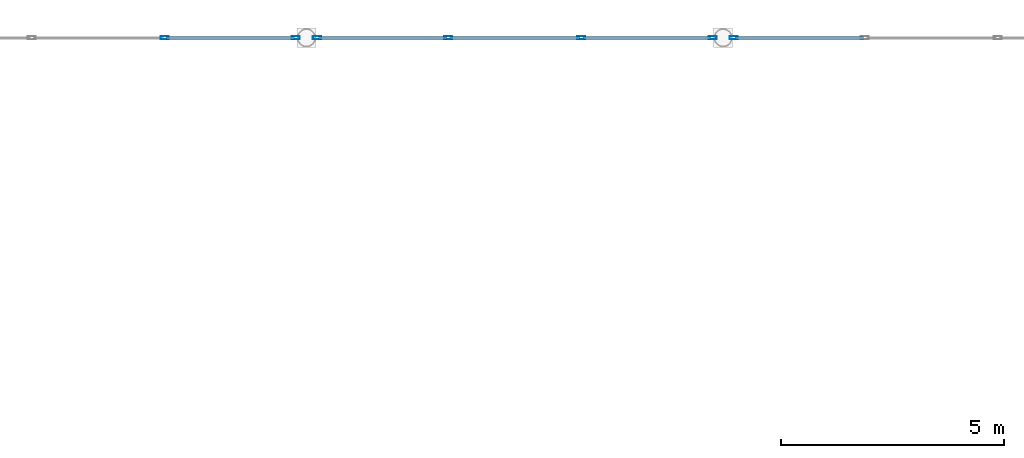
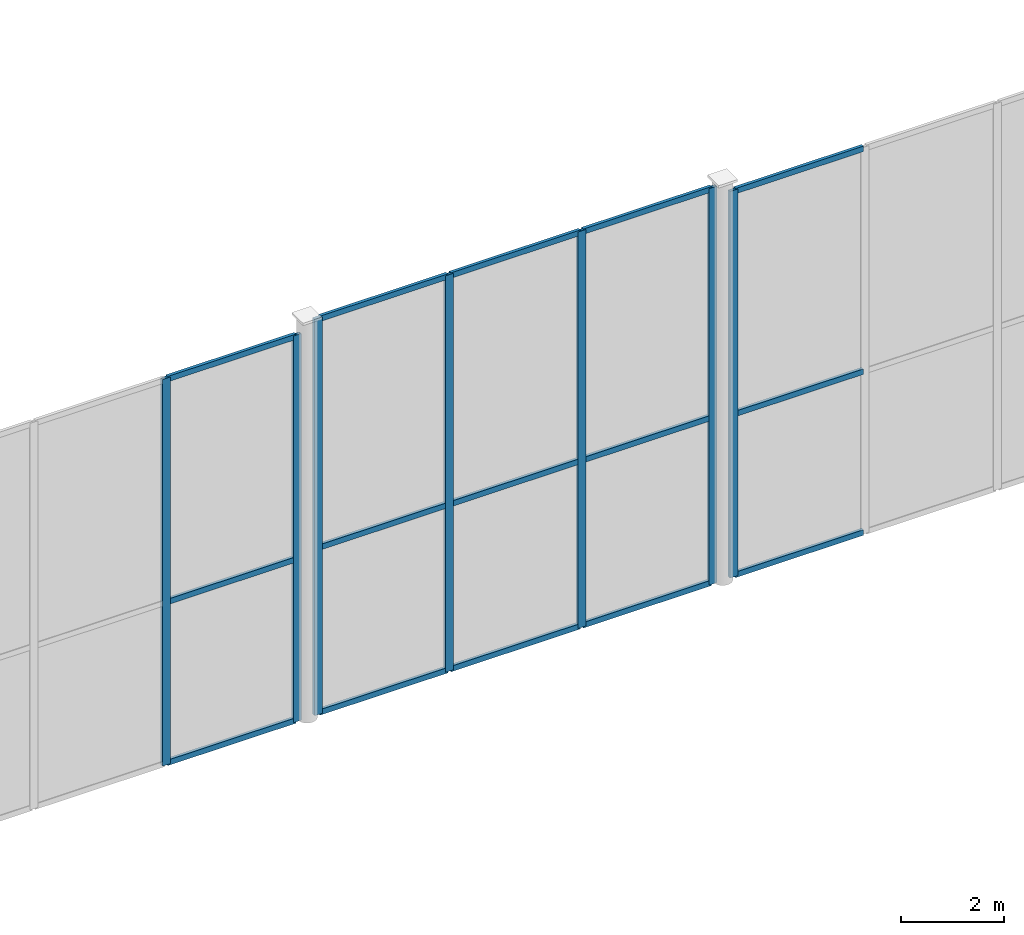
# One storey, part 44 of 77: 22 members, 3 elements without a shape of their own.
"""IFC4 building model written with IfcOpenShell, lengths in metres."""

from ifc_helpers import new_model, si_unit, direction, frame, origin, origin_2d, place, context, subcontext, project, spatial, hollow_rectangle, extrude, material, layer, layer_set, material_profile, profile_set, type_object, element, aggregate, save


model = new_model("IFC4")

# Units and contexts
model_context = context("Model", 3, precision=1e-05, world=origin(), true_north=direction((0.0, 1.0)))
body_context = subcontext(model_context, "Body", "Model", "MODEL_VIEW")
ifc_project = project(units=[si_unit("LENGTHUNIT", "METRE"), si_unit("AREAUNIT", "SQUARE_METRE"), si_unit("VOLUMEUNIT", "CUBIC_METRE"), si_unit("PLANEANGLEUNIT", "RADIAN"), si_unit("MASSUNIT", "GRAM", prefix="KILO")], contexts=[model_context])

# Site, building, storey
site_placement = place(None, origin())
site = spatial("IfcSite", under=ifc_project, at=site_placement, CompositionType="ELEMENT")
building_placement = place(site_placement, origin())
building = spatial("IfcBuilding", under=site, at=building_placement, Name="Quillay Park Conservatory", CompositionType="ELEMENT")
storey_placement = place(building_placement, frame((0.0, 0.0, 5.39990234375)))
storey = spatial("IfcBuildingStorey", under=building, at=storey_placement, Name="L01", CompositionType="ELEMENT", Elevation=5.39990234375)

# Curtain wall, members
ifc_material_1 = material(Name="Thermally Broken Anodised Aluminium 6063-T6", Category="aluminium")
ifc_layer = layer(ifc_material_1, 0.219970703125)
ifc_layer_set = layer_set([ifc_layer], Name="UNITISED CURTAIN WALL CONSERVATORY (Thermally Broken Anodised Aluminium 6063-T6)")
curtain_wall_type = type_object("IfcCurtainWallType", Name="UNITISED CURTAIN WALL CONSERVATORY", PredefinedType="USERDEFINED", material=ifc_layer_set)
curtain_wall_1_placement = place(storey_placement, origin())
curtain_wall_1 = element("IfcCurtainWall", 1, at=curtain_wall_1_placement, inside=storey, type_object=curtain_wall_type, Name="L01 Unitised Curtain Wall 153", ObjectType="UNITISED CURTAIN WALL", PredefinedType="USERDEFINED")
ifc_material_2 = material(Name="Thermally Broken Anodised Aluminium 6063-T6", Category="aluminium")
ifc_material_profile_1 = material_profile(ifc_material_2, hollow_rectangle(XDim=0.070068359375, YDim=0.179931640625, WallThickness=0.00390625, at=origin_2d()), Name="AL70x180x4")
ifc_profile_set_1 = profile_set([ifc_material_profile_1], Name="Thermally Broken Anodised Aluminium 6063-T6")
member_type_1 = type_object("IfcMemberType", Name="CURTAIN WALL MULLION 70 X180", PredefinedType="MULLION", material=ifc_profile_set_1)
member_1_placement = place(storey_placement, frame((64.886474609375, 113.39990234375, 0.0), z_axis=(0.0, 0.0, 1.0), x_axis=(0.0, 1.0, 0.0)))
member_1 = element("IfcMember", 2, at=member_1_placement, type_object=member_type_1, Name="CW-C1 mullion 3", PredefinedType="MULLION", context=body_context, shape_type="SweptSolid", body=[
    extrude(hollow_rectangle(XDim=0.070068359375, YDim=0.179931640625, WallThickness=0.00390625, at=origin_2d()), origin(), (0.0, 0.0, 1.0), 9.201904296875),
])
member_2_placement = place(storey_placement, frame((67.835205078125, 113.39990234375, 0.0), z_axis=(0.0, 0.0, 1.0), x_axis=(0.0, 1.0, 0.0)))
member_2 = element("IfcMember", 3, at=member_2_placement, type_object=member_type_1, Name="CW-C1 mullion 4", PredefinedType="MULLION", context=body_context, shape_type="SweptSolid", body=[
    extrude(hollow_rectangle(XDim=0.070068359375, YDim=0.179931640625, WallThickness=0.00390625, at=origin_2d()), origin(), (0.0, 0.0, 1.0), 9.201904296875),
])

curtain_wall_2_placement = place(storey_placement, origin())
curtain_wall_2 = element("IfcCurtainWall", 4, at=curtain_wall_2_placement, inside=storey, type_object=curtain_wall_type, Name="L01 Unitised Curtain Wall 155", ObjectType="UNITISED CURTAIN WALL", PredefinedType="USERDEFINED")
member_3_placement = place(storey_placement, frame((68.30908203125, 113.39990234375, 0.0), z_axis=(0.0, 0.0, 1.0), x_axis=(0.0, 1.0, 0.0)))
member_3 = element("IfcMember", 5, at=member_3_placement, type_object=member_type_1, Name="CW-C1 mullion 1", PredefinedType="MULLION", context=body_context, shape_type="SweptSolid", body=[
    extrude(hollow_rectangle(XDim=0.070068359375, YDim=0.179931640625, WallThickness=0.00390625, at=origin_2d()), origin(), (0.0, 0.0, 1.0), 9.436279296875),
])
member_4_placement = place(storey_placement, frame((71.258056640625, 113.39990234375, 0.0), z_axis=(0.0, 0.0, 1.0), x_axis=(0.0, 1.0, 0.0)))
member_4 = element("IfcMember", 6, at=member_4_placement, type_object=member_type_1, Name="CW-C1 mullion 2", PredefinedType="MULLION", context=body_context, shape_type="SweptSolid", body=[
    extrude(hollow_rectangle(XDim=0.070068359375, YDim=0.179931640625, WallThickness=0.00390625, at=origin_2d()), origin(), (0.0, 0.0, 1.0), 9.436279296875),
])
member_5_placement = place(storey_placement, frame((74.241943359375, 113.39990234375, 0.0), z_axis=(0.0, 0.0, 1.0), x_axis=(0.0, 1.0, 0.0)))
member_5 = element("IfcMember", 7, at=member_5_placement, type_object=member_type_1, Name="CW-C1 mullion 3", PredefinedType="MULLION", context=body_context, shape_type="SweptSolid", body=[
    extrude(hollow_rectangle(XDim=0.070068359375, YDim=0.179931640625, WallThickness=0.00390625, at=origin_2d()), origin(), (0.0, 0.0, 1.0), 9.436279296875),
])
member_6_placement = place(storey_placement, frame((77.19091796875, 113.39990234375, 0.0), z_axis=(0.0, 0.0, 1.0), x_axis=(0.0, 1.0, 0.0)))
member_6 = element("IfcMember", 8, at=member_6_placement, type_object=member_type_1, Name="CW-C1 mullion 4", PredefinedType="MULLION", context=body_context, shape_type="SweptSolid", body=[
    extrude(hollow_rectangle(XDim=0.070068359375, YDim=0.179931640625, WallThickness=0.00390625, at=origin_2d()), origin(), (0.0, 0.0, 1.0), 9.436279296875),
])

# Curtain wall, member
curtain_wall_3_placement = place(storey_placement, origin())
curtain_wall_3 = element("IfcCurtainWall", 9, at=curtain_wall_3_placement, inside=storey, type_object=curtain_wall_type, Name="L01 Unitised Curtain Wall 156", ObjectType="UNITISED CURTAIN WALL", PredefinedType="USERDEFINED")
member_7_placement = place(storey_placement, frame((77.664794921875, 113.39990234375, 0.0), z_axis=(0.0, 0.0, 1.0), x_axis=(0.0, 1.0, 0.0)))
member_7 = element("IfcMember", 10, at=member_7_placement, type_object=member_type_1, Name="CW-C1 mullion 1", PredefinedType="MULLION", context=body_context, shape_type="SweptSolid", body=[
    extrude(hollow_rectangle(XDim=0.070068359375, YDim=0.179931640625, WallThickness=0.00390625, at=origin_2d()), origin(), (0.0, 0.0, 1.0), 9.201904296875),
])

# Member
ifc_material_3 = material(Name="Thermally Broken Anodised Aluminium 6063-T6", Category="aluminium")
ifc_material_profile_2 = material_profile(ifc_material_3, hollow_rectangle(XDim=0.070068359375, YDim=0.1298828125, WallThickness=0.003173828125, at=origin_2d()), Name="AL70x130x3.2")
ifc_profile_set_2 = profile_set([ifc_material_profile_2], Name="Thermally Broken Anodised Aluminium 6063-T6")
member_type_2 = type_object("IfcMemberType", Name="CURTAIN WALL TRANSOM 70 X130", PredefinedType="USERDEFINED", material=ifc_profile_set_2)
member_8_placement = place(storey_placement, frame((64.92138671875, 113.39990234375, 0.03515625), z_axis=(1.0, 0.0, 0.0), x_axis=(0.0, 1.0, 0.0)))
member_8 = element("IfcMember", 11, at=member_8_placement, type_object=member_type_2, Name="CW-C1 transom 3.1", ObjectType="TRANSOM", PredefinedType="USERDEFINED", context=body_context, shape_type="SweptSolid", body=[
    extrude(hollow_rectangle(XDim=0.070068359375, YDim=0.1298828125, WallThickness=0.003173828125, at=origin_2d()), origin(), (0.0, 0.0, 1.0), 2.87890625),
])

member_9_placement = place(storey_placement, frame((64.92138671875, 113.39990234375, 3.864990234375), z_axis=(1.0, 0.0, 0.0), x_axis=(0.0, 1.0, 0.0)))
member_9 = element("IfcMember", 12, at=member_9_placement, type_object=member_type_2, Name="CW-C1 transom 3.2", ObjectType="TRANSOM", PredefinedType="USERDEFINED", context=body_context, shape_type="SweptSolid", body=[
    extrude(hollow_rectangle(XDim=0.070068359375, YDim=0.1298828125, WallThickness=0.003173828125, at=origin_2d()), origin(), (0.0, 0.0, 1.0), 2.87890625),
])

member_10_placement = place(storey_placement, frame((64.92138671875, 113.39990234375, 9.1669921875), z_axis=(1.0, 0.0, 0.0), x_axis=(0.0, 1.0, 0.0)))
member_10 = element("IfcMember", 13, at=member_10_placement, type_object=member_type_2, Name="CW-C1 transom 3.3", ObjectType="TRANSOM", PredefinedType="USERDEFINED", context=body_context, shape_type="SweptSolid", body=[
    extrude(hollow_rectangle(XDim=0.070068359375, YDim=0.1298828125, WallThickness=0.003173828125, at=origin_2d()), origin(), (0.0, 0.0, 1.0), 2.87890625),
])

aggregate(curtain_wall_1, [member_1, member_2, member_8, member_9, member_10])

member_11_placement = place(storey_placement, frame((68.34423828125, 113.39990234375, 0.03515625), z_axis=(1.0, 0.0, 0.0), x_axis=(0.0, 1.0, 0.0)))
member_11 = element("IfcMember", 14, at=member_11_placement, type_object=member_type_2, Name="CW-C1 transom 1.1", ObjectType="TRANSOM", PredefinedType="USERDEFINED", context=body_context, shape_type="SweptSolid", body=[
    extrude(hollow_rectangle(XDim=0.070068359375, YDim=0.1298828125, WallThickness=0.003173828125, at=origin_2d()), origin(), (0.0, 0.0, 1.0), 2.87890625),
])

member_12_placement = place(storey_placement, frame((68.34423828125, 113.39990234375, 3.96337890625), z_axis=(1.0, 0.0, 0.0), x_axis=(0.0, 1.0, 0.0)))
member_12 = element("IfcMember", 15, at=member_12_placement, type_object=member_type_2, Name="CW-C1 transom 1.2", ObjectType="TRANSOM", PredefinedType="USERDEFINED", context=body_context, shape_type="SweptSolid", body=[
    extrude(hollow_rectangle(XDim=0.070068359375, YDim=0.1298828125, WallThickness=0.003173828125, at=origin_2d()), origin(), (0.0, 0.0, 1.0), 2.87890625),
])

member_13_placement = place(storey_placement, frame((68.34423828125, 113.39990234375, 9.4013671875), z_axis=(1.0, 0.0, 0.0), x_axis=(0.0, 1.0, 0.0)))
member_13 = element("IfcMember", 16, at=member_13_placement, type_object=member_type_2, Name="CW-C1 transom 1.3", ObjectType="TRANSOM", PredefinedType="USERDEFINED", context=body_context, shape_type="SweptSolid", body=[
    extrude(hollow_rectangle(XDim=0.070068359375, YDim=0.1298828125, WallThickness=0.003173828125, at=origin_2d()), origin(), (0.0, 0.0, 1.0), 2.87890625),
])

member_14_placement = place(storey_placement, frame((71.29296875, 113.39990234375, 0.03515625), z_axis=(1.0, 0.0, 0.0), x_axis=(0.0, 1.0, 0.0)))
member_14 = element("IfcMember", 17, at=member_14_placement, type_object=member_type_2, Name="CW-C1 transom 2.1", ObjectType="TRANSOM", PredefinedType="USERDEFINED", context=body_context, shape_type="SweptSolid", body=[
    extrude(hollow_rectangle(XDim=0.070068359375, YDim=0.1298828125, WallThickness=0.003173828125, at=origin_2d()), origin(), (0.0, 0.0, 1.0), 2.9140625),
])

member_15_placement = place(storey_placement, frame((71.29296875, 113.39990234375, 3.96337890625), z_axis=(1.0, 0.0, 0.0), x_axis=(0.0, 1.0, 0.0)))
member_15 = element("IfcMember", 18, at=member_15_placement, type_object=member_type_2, Name="CW-C1 transom 2.2", ObjectType="TRANSOM", PredefinedType="USERDEFINED", context=body_context, shape_type="SweptSolid", body=[
    extrude(hollow_rectangle(XDim=0.070068359375, YDim=0.1298828125, WallThickness=0.003173828125, at=origin_2d()), origin(), (0.0, 0.0, 1.0), 2.9140625),
])

member_16_placement = place(storey_placement, frame((71.29296875, 113.39990234375, 9.4013671875), z_axis=(1.0, 0.0, 0.0), x_axis=(0.0, 1.0, 0.0)))
member_16 = element("IfcMember", 19, at=member_16_placement, type_object=member_type_2, Name="CW-C1 transom 2.3", ObjectType="TRANSOM", PredefinedType="USERDEFINED", context=body_context, shape_type="SweptSolid", body=[
    extrude(hollow_rectangle(XDim=0.070068359375, YDim=0.1298828125, WallThickness=0.003173828125, at=origin_2d()), origin(), (0.0, 0.0, 1.0), 2.9140625),
])

member_17_placement = place(storey_placement, frame((74.27685546875, 113.39990234375, 0.03515625), z_axis=(1.0, 0.0, 0.0), x_axis=(0.0, 1.0, 0.0)))
member_17 = element("IfcMember", 20, at=member_17_placement, type_object=member_type_2, Name="CW-C1 transom 3.1", ObjectType="TRANSOM", PredefinedType="USERDEFINED", context=body_context, shape_type="SweptSolid", body=[
    extrude(hollow_rectangle(XDim=0.070068359375, YDim=0.1298828125, WallThickness=0.003173828125, at=origin_2d()), origin(), (0.0, 0.0, 1.0), 2.87890625),
])

member_18_placement = place(storey_placement, frame((74.27685546875, 113.39990234375, 3.96337890625), z_axis=(1.0, 0.0, 0.0), x_axis=(0.0, 1.0, 0.0)))
member_18 = element("IfcMember", 21, at=member_18_placement, type_object=member_type_2, Name="CW-C1 transom 3.2", ObjectType="TRANSOM", PredefinedType="USERDEFINED", context=body_context, shape_type="SweptSolid", body=[
    extrude(hollow_rectangle(XDim=0.070068359375, YDim=0.1298828125, WallThickness=0.003173828125, at=origin_2d()), origin(), (0.0, 0.0, 1.0), 2.87890625),
])

member_19_placement = place(storey_placement, frame((74.27685546875, 113.39990234375, 9.4013671875), z_axis=(1.0, 0.0, 0.0), x_axis=(0.0, 1.0, 0.0)))
member_19 = element("IfcMember", 22, at=member_19_placement, type_object=member_type_2, Name="CW-C1 transom 3.3", ObjectType="TRANSOM", PredefinedType="USERDEFINED", context=body_context, shape_type="SweptSolid", body=[
    extrude(hollow_rectangle(XDim=0.070068359375, YDim=0.1298828125, WallThickness=0.003173828125, at=origin_2d()), origin(), (0.0, 0.0, 1.0), 2.87890625),
])

aggregate(curtain_wall_2, [member_3, member_4, member_5, member_6, member_11, member_12, member_13, member_14, member_15, member_16, member_17, member_18, member_19])

member_20_placement = place(storey_placement, frame((77.69970703125, 113.39990234375, 0.03515625), z_axis=(1.0, 0.0, 0.0), x_axis=(0.0, 1.0, 0.0)))
member_20 = element("IfcMember", 23, at=member_20_placement, type_object=member_type_2, Name="CW-C1 transom 1.1", ObjectType="TRANSOM", PredefinedType="USERDEFINED", context=body_context, shape_type="SweptSolid", body=[
    extrude(hollow_rectangle(XDim=0.070068359375, YDim=0.1298828125, WallThickness=0.003173828125, at=origin_2d()), origin(), (0.0, 0.0, 1.0), 2.87890625),
])

member_21_placement = place(storey_placement, frame((77.69970703125, 113.39990234375, 3.864990234375), z_axis=(1.0, 0.0, 0.0), x_axis=(0.0, 1.0, 0.0)))
member_21 = element("IfcMember", 24, at=member_21_placement, type_object=member_type_2, Name="CW-C1 transom 1.2", ObjectType="TRANSOM", PredefinedType="USERDEFINED", context=body_context, shape_type="SweptSolid", body=[
    extrude(hollow_rectangle(XDim=0.070068359375, YDim=0.1298828125, WallThickness=0.003173828125, at=origin_2d()), origin(), (0.0, 0.0, 1.0), 2.87890625),
])

member_22_placement = place(storey_placement, frame((77.69970703125, 113.39990234375, 9.1669921875), z_axis=(1.0, 0.0, 0.0), x_axis=(0.0, 1.0, 0.0)))
member_22 = element("IfcMember", 25, at=member_22_placement, type_object=member_type_2, Name="CW-C1 transom 1.3", ObjectType="TRANSOM", PredefinedType="USERDEFINED", context=body_context, shape_type="SweptSolid", body=[
    extrude(hollow_rectangle(XDim=0.070068359375, YDim=0.1298828125, WallThickness=0.003173828125, at=origin_2d()), origin(), (0.0, 0.0, 1.0), 2.87890625),
])

aggregate(curtain_wall_3, [member_7, member_20, member_21, member_22])

save(model, "model.ifc")
